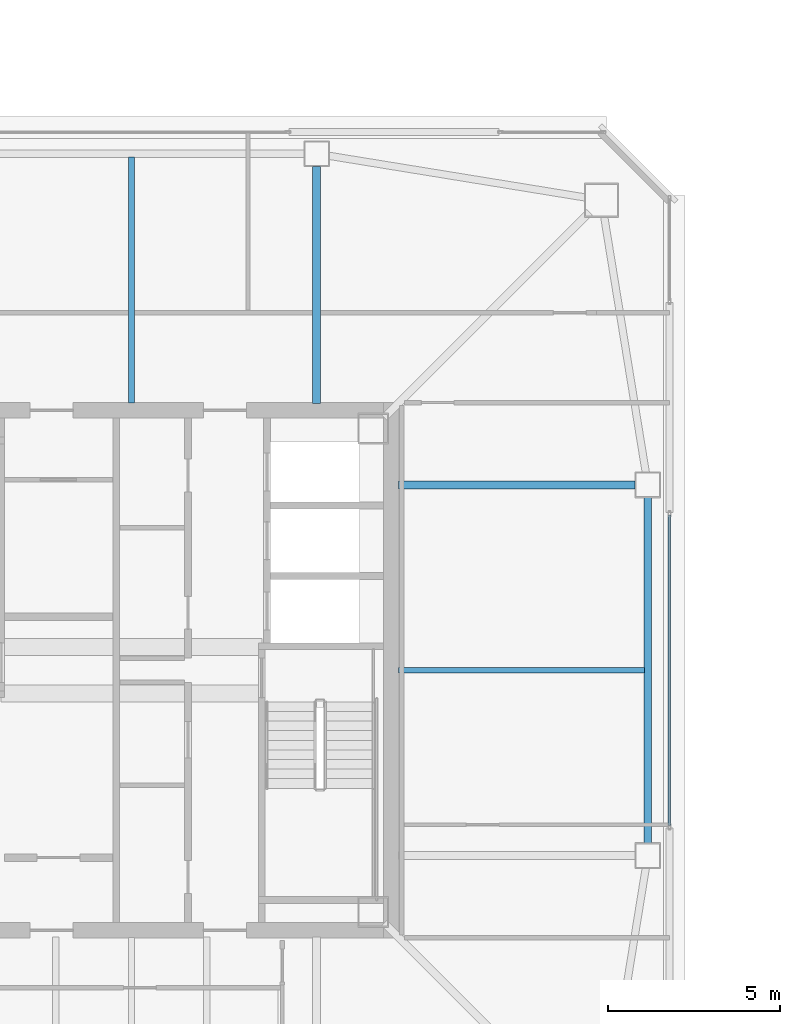
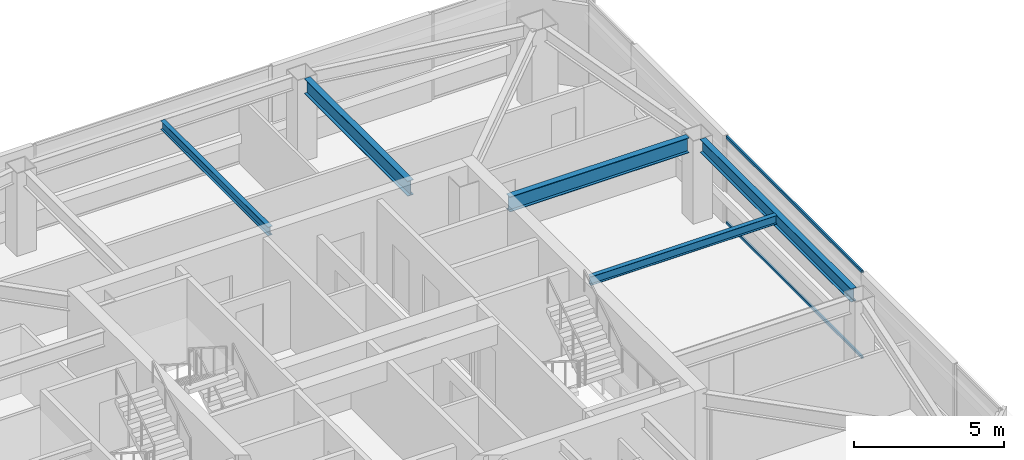
# One storey, part 10 of 36: 5 beams, 2 members, 1 element without a shape of its own.
"""IFC4 building model written with IfcOpenShell, lengths in metres."""

from ifc_helpers import new_model, si_unit, direction, frame, origin, origin_2d, place, context, subcontext, project, spatial, hollow_rectangle, i_section, extrude, material, material_profile, profile_set, type_object, element, aggregate, save


model = new_model("IFC4")

# Units and contexts
model_context = context("Model", 3, precision=1e-05, world=origin(), true_north=direction((0.0, 1.0)))
body_context = subcontext(model_context, "Body", "Model", "MODEL_VIEW")
ifc_project = project(units=[si_unit("LENGTHUNIT", "METRE"), si_unit("AREAUNIT", "SQUARE_METRE"), si_unit("VOLUMEUNIT", "CUBIC_METRE"), si_unit("PLANEANGLEUNIT", "RADIAN"), si_unit("MASSUNIT", "GRAM", prefix="KILO")], contexts=[model_context])

# Site, building, storey
site_placement = place(None, origin())
site = spatial("IfcSite", under=ifc_project, at=site_placement, CompositionType="ELEMENT")
building_placement = place(site_placement, origin())
building = spatial("IfcBuilding", under=site, at=building_placement, Name="Tashvorn Skyway Center", CompositionType="ELEMENT")
storey_placement = place(building_placement, frame((0.0, 0.0, 236.14990234375)))
storey = spatial("IfcBuildingStorey", under=building, at=storey_placement, Name="L64", CompositionType="ELEMENT", Elevation=236.14990234375)

# Beams
ifc_material_1 = material(Name="Steel ASTM A992 Grade 50", Category="steel")
ifc_material_profile_1 = material_profile(ifc_material_1, i_section(OverallWidth=0.22998046875, OverallDepth=0.616943359375, WebThickness=0.01318359375, FlangeThickness=0.022216796875, at=origin_2d()), Name="W24X94")
ifc_profile_set_1 = profile_set([ifc_material_profile_1], Name="Steel ASTM A992 Grade 50")
beam_type_1 = type_object("IfcBeamType", Name="BM-BEAM-W24X94", PredefinedType="BEAM", material=ifc_profile_set_1)
for number, where, z_axis, x_axis, name in (
    (1, (56.679931640625, 37.39990234375, 3.0615234375), (-1.0, 0.0, 0.0), (0.0, -1.0, 0.0), "Tower 1 L64 Primary Floor Girder FC-E2"),
    (2, (47.39990234375, 46.679931640625, 3.0615234375), (0.0, -1.0, 0.0), (1.0, 0.0, 0.0), "Tower 1 L64 Primary Floor Girder FC-N1"),
):
    element("IfcBeam", number, at=place(storey_placement, frame(where, z_axis=z_axis, x_axis=x_axis)), inside=storey, type_object=beam_type_1, Name=name, PredefinedType="BEAM", context=body_context, shape_type="SweptSolid", body=[
        extrude(i_section(OverallWidth=0.22998046875, OverallDepth=0.616943359375, WebThickness=0.01318359375, FlangeThickness=0.022216796875, at=origin_2d()), origin(), (0.0, 0.0, 1.0), 6.89990234375),
    ])
ifc_material_profile_2 = material_profile(ifc_material_1, i_section(OverallWidth=0.1708984375, OverallDepth=0.35498046875, WebThickness=0.007080078125, FlangeThickness=0.01171875, at=origin_2d()), Name="W14X34")
ifc_profile_set_2 = profile_set([ifc_material_profile_2], Name="Steel ASTM A992 Grade 50")
beam_type_2 = type_object("IfcBeamType", Name="BM-JOIST-W14X34", PredefinedType="JOIST", material=ifc_profile_set_2)
for number, where, z_axis, x_axis, name in (
    (3, (42.0, 39.7900390625, 3.192626953125), (0.0, 1.0, 0.0), (-1.0, 0.0, 0.0), "Tower 1 L64 Secondary Composite Joist JN"),
    (4, (49.7900390625, 32.0, 3.192626953125), (1.0, 0.0, 0.0), (0.0, 1.0, 0.0), "Tower 1 L64 Secondary Composite Joist JE"),
):
    element("IfcBeam", number, at=place(storey_placement, frame(where, z_axis=z_axis, x_axis=x_axis)), inside=storey, type_object=beam_type_2, Name=name, PredefinedType="JOIST", context=body_context, shape_type="SweptSolid", body=[
        extrude(i_section(OverallWidth=0.1708984375, OverallDepth=0.35498046875, WebThickness=0.007080078125, FlangeThickness=0.01171875, at=origin_2d()), origin(), (0.0, 0.0, 1.0), 7.162353515625),
    ])
ifc_material_profile_3 = material_profile(ifc_material_1, i_section(OverallWidth=0.2109375, OverallDepth=0.5390625, WebThickness=0.01171875, FlangeThickness=0.018798828125, at=origin_2d()), Name="W21X73")
ifc_profile_set_3 = profile_set([ifc_material_profile_3], Name="Steel ASTM A992 Grade 50")
beam_type_3 = type_object("IfcBeamType", Name="BM-SPANDREL-W21X73", PredefinedType="SPANDREL", material=ifc_profile_set_3)
beam_placement = place(storey_placement, frame((57.050048828125, 26.969970703125, 3.1005859375), z_axis=(0.0, 1.0, 0.0), x_axis=(-1.0, 0.0, 0.0)))
element("IfcBeam", 5, at=beam_placement, inside=storey, type_object=beam_type_3, Name="Tower 1 L64 Spandrel Beam 05", PredefinedType="SPANDREL", context=body_context, shape_type="SweptSolid", body=[
    extrude(i_section(OverallWidth=0.2109375, OverallDepth=0.5390625, WebThickness=0.01171875, FlangeThickness=0.018798828125, at=origin_2d()), origin(), (0.0, 0.0, 1.0), 10.06005859375),
])

# Curtain wall, members
ifc_material_2 = material(Name="Thermally broken bronze-anodized aluminium 6063-T6", Category="aluminium")
curtain_wall_type = type_object("IfcCurtainWallType", Name="CW-CW-Z5", PredefinedType="NOTDEFINED", material=ifc_material_2)
curtain_wall_placement = place(storey_placement, origin())
curtain_wall = element("IfcCurtainWall", 6, at=curtain_wall_placement, inside=storey, type_object=curtain_wall_type, Name="Tower 1 L64 East Unitised Curtain Wall Glazing Group 2", PredefinedType="NOTDEFINED")
ifc_material_profile_4 = material_profile(ifc_material_2, hollow_rectangle(XDim=0.070068359375, YDim=0.114990234375, WallThickness=0.00390625, at=origin_2d()), Name="ALU-TRAN-70x115")
ifc_profile_set_4 = profile_set([ifc_material_profile_4], Name="Thermally broken bronze-anodized aluminium 6063-T6")
member_type = type_object("IfcMemberType", Name="CWT-CW-Z5", PredefinedType="USERDEFINED", material=ifc_profile_set_4)
member_1_placement = place(storey_placement, frame((57.679931640625, 36.523193359375, 0.03515625), z_axis=(0.0, -1.0, 0.0), x_axis=(1.0, 0.0, 0.0)))
member_1 = element("IfcMember", 7, at=member_1_placement, type_object=member_type, Name="CW-Z5 transom 1.1", ObjectType="TRANSOM", PredefinedType="USERDEFINED", context=body_context, shape_type="SweptSolid", body=[
    extrude(hollow_rectangle(XDim=0.070068359375, YDim=0.114990234375, WallThickness=0.00390625, at=origin_2d()), origin(), (0.0, 0.0, 1.0), 9.04638671875),
])
member_2_placement = place(storey_placement, frame((57.679931640625, 36.523193359375, 3.51513671875), z_axis=(0.0, -1.0, 0.0), x_axis=(1.0, 0.0, 0.0)))
member_2 = element("IfcMember", 8, at=member_2_placement, type_object=member_type, Name="CW-Z5 transom 1.2", ObjectType="TRANSOM", PredefinedType="USERDEFINED", context=body_context, shape_type="SweptSolid", body=[
    extrude(hollow_rectangle(XDim=0.070068359375, YDim=0.114990234375, WallThickness=0.00390625, at=origin_2d()), origin(), (0.0, 0.0, 1.0), 9.04638671875),
])
aggregate(curtain_wall, [member_1, member_2])

save(model, "model.ifc")
